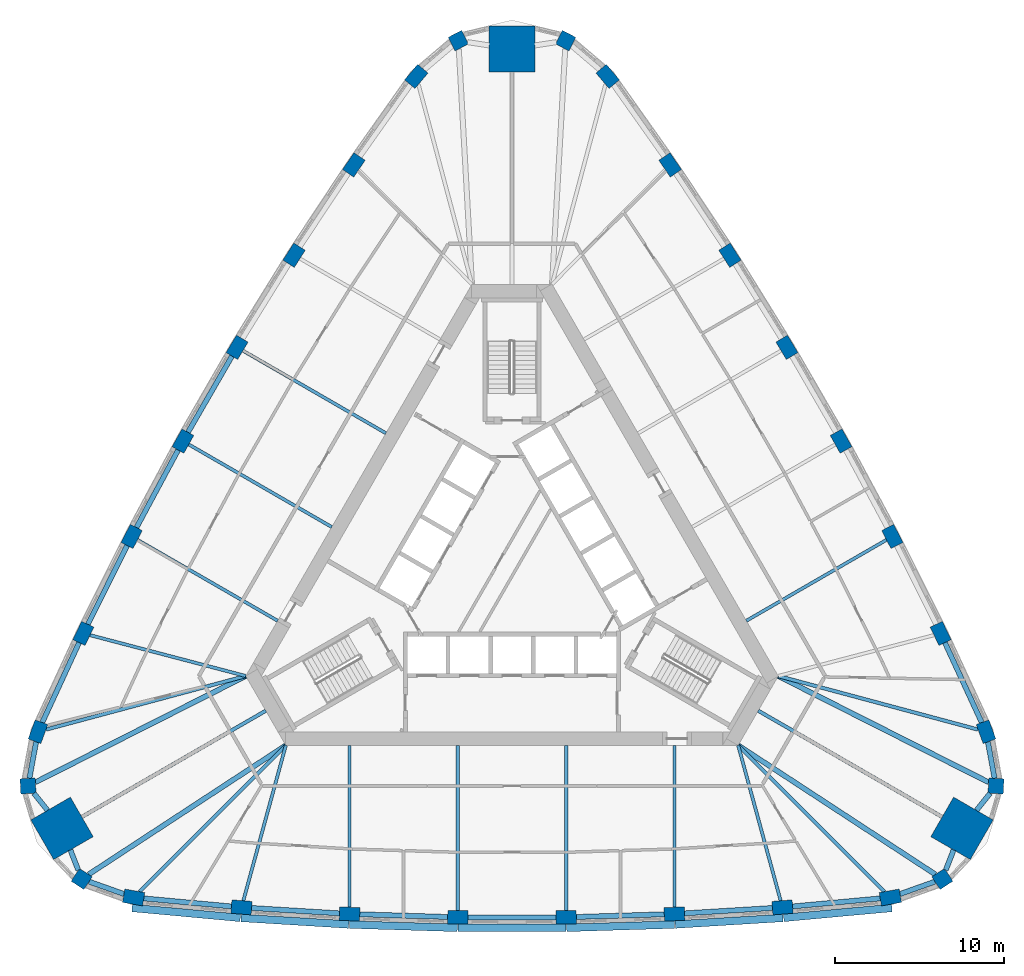
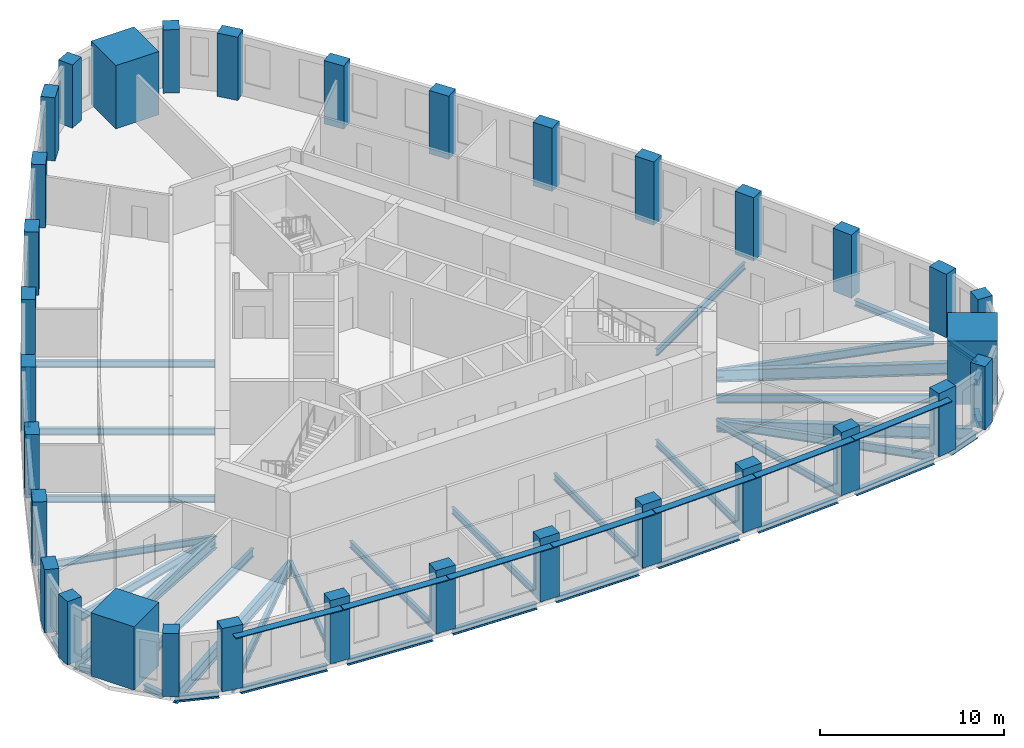
# One storey, part 1 of 10: 41 beams, 33 columns, 7 members.
"""IFC4 building model written with IfcOpenShell, lengths in metres."""

from ifc_helpers import new_model, si_unit, direction, frame, origin, origin_2d, place, context, subcontext, project, spatial, rectangle, i_section, extrude, material, material_profile, profile_set, type_object, element, save


model = new_model("IFC4")

# Units and contexts
model_context = context("Model", 3, precision=1e-05, world=origin(), true_north=direction((0.0, 1.0)))
body_context = subcontext(model_context, "Body", "Model", "MODEL_VIEW")
ifc_project = project(units=[si_unit("LENGTHUNIT", "METRE"), si_unit("AREAUNIT", "SQUARE_METRE"), si_unit("VOLUMEUNIT", "CUBIC_METRE"), si_unit("PLANEANGLEUNIT", "RADIAN"), si_unit("MASSUNIT", "GRAM", prefix="KILO")], contexts=[model_context])

# Site, building, storey
site_placement = place(None, origin())
site = spatial("IfcSite", under=ifc_project, at=site_placement, CompositionType="ELEMENT")
building_placement = place(site_placement, origin())
building = spatial("IfcBuilding", under=site, at=building_placement, Name="Mestral Congress Tower", CompositionType="ELEMENT")
storey_placement = place(building_placement, frame((0.0, 0.0, 145.800048828125)))
storey = spatial("IfcBuildingStorey", under=building, at=storey_placement, Name="L34", CompositionType="ELEMENT", Elevation=145.800048828125)

# Columns
ifc_material_1 = material(Name="Concrete C60/75", Category="concrete")
ifc_material_profile_1 = material_profile(ifc_material_1, rectangle(XDim=1.199951171875, YDim=0.800048828125, at=origin_2d()), Name="RC 1200x800")
ifc_profile_set_1 = profile_set([ifc_material_profile_1], Name="Concrete C60/75")
column_type_1 = type_object("IfcColumnType", Name="Column RC 1200x800 C60/75", PredefinedType="COLUMN", material=ifc_profile_set_1)
for number, where, z_axis, x_axis, name in (
    (1, (-22.357421875, -19.437255859375, 0.0), (0.0, 0.0, 1.0), (0.984571054206, -0.17498525429, 0.0), "COL-L34-C3-S00"),
    (2, (-15.984619140625, -20.0224609375, 0.0), (0.0, 0.0, 1.0), (0.997089725995, -0.076236987842, 0.0), "COL-L34-C3-S01"),
    (3, (-9.5966796875, -20.412841796875, 0.0), (0.0, 0.0, 1.0), (0.998951959915, -0.045770970953, 0.0), "COL-L34-C3-S02"),
    (4, (-3.199951171875, -20.608154296875, 0.0), (0.0, 0.0, 1.0), (0.999883524137, -0.015262311717, 0.0), "COL-L34-C3-S03"),
    (5, (3.199951171875, -20.608154296875, 0.0), (0.0, 0.0, 1.0), (0.999883524137, 0.015262311717, 0.0), "COL-L34-C3-S04"),
    (6, (9.5966796875, -20.412841796875, 0.0), (0.0, 0.0, 1.0), (0.998951959915, 0.045770970953, 0.0), "COL-L34-C3-S05"),
    (7, (15.984619140625, -20.0224609375, 0.0), (0.0, 0.0, 1.0), (0.997089725995, 0.076236987842, 0.0), "COL-L34-C3-S06"),
    (8, (22.357421875, -19.437255859375, 0.0), (0.0, 0.0, 1.0), (0.984571054206, 0.17498525429, 0.0), "COL-L34-C3-S07"),
    (9, (28.01171875, -9.6435546875, 0.0), (0.0, 0.0, 1.0), (-0.340743851601, 0.940156171918, 0.0), "COL-L34-C3-E00"),
    (10, (25.332275390625, -3.831787109375, 0.0), (0.0, 0.0, 1.0), (-0.432521694818, 0.901623526485, 0.0), "COL-L34-C3-E01"),
    (11, (22.476318359375, 1.8955078125, 0.0), (0.0, 0.0, 1.0), (-0.459837156356, 0.888003259923, 0.0), "COL-L34-C3-E02"),
    (12, (19.447265625, 7.532958984375, 0.0), (0.0, 0.0, 1.0), (-0.486724212401, 0.873555688587, 0.0), "COL-L34-C3-E03"),
    (13, (16.247314453125, 13.0751953125, 0.0), (0.0, 0.0, 1.0), (-0.513159311736, 0.85829337687, 0.0), "COL-L34-C3-E04"),
    (14, (12.8798828125, 18.517333984375, 0.0), (0.0, 0.0, 1.0), (-0.539114803559, 0.84223228897, 0.0), "COL-L34-C3-E05"),
    (15, (9.34765625, 23.854248046875, 0.0), (0.0, 0.0, 1.0), (-0.564568031177, 0.825386538643, 0.0), "COL-L34-C3-E06"),
    (16, (5.654296875, 29.080810546875, 0.0), (0.0, 0.0, 1.0), (-0.643827202606, 0.765170917629, 0.0), "COL-L34-C3-E07"),
    (17, (-5.654296875, 29.080810546875, 0.0), (0.0, 0.0, 1.0), (-0.643827202606, -0.765170917629, 0.0), "COL-L34-C3-W00"),
    (18, (-9.34765625, 23.854248046875, 0.0), (0.0, 0.0, 1.0), (-0.564568031177, -0.825386538643, 0.0), "COL-L34-C3-W01"),
    (19, (-12.8798828125, 18.517333984375, 0.0), (0.0, 0.0, 1.0), (-0.539114803559, -0.84223228897, 0.0), "COL-L34-C3-W02"),
    (20, (-16.247314453125, 13.0751953125, 0.0), (0.0, 0.0, 1.0), (-0.513159311736, -0.85829337687, 0.0), "COL-L34-C3-W03"),
    (21, (-19.447265625, 7.532958984375, 0.0), (0.0, 0.0, 1.0), (-0.486724212401, -0.873555688587, 0.0), "COL-L34-C3-W04"),
    (22, (-22.476318359375, 1.8955078125, 0.0), (0.0, 0.0, 1.0), (-0.459837156356, -0.888003259923, 0.0), "COL-L34-C3-W05"),
    (23, (-25.332275390625, -3.831787109375, 0.0), (0.0, 0.0, 1.0), (-0.432521694818, -0.901623526485, 0.0), "COL-L34-C3-W06"),
    (24, (-28.01171875, -9.6435546875, 0.0), (0.0, 0.0, 1.0), (-0.340743851601, -0.940156171918, 0.0), "COL-L34-C3-W07"),
):
    element("IfcColumn", number, at=place(storey_placement, frame(where, z_axis=z_axis, x_axis=x_axis)), inside=storey, type_object=column_type_1, Name=name, PredefinedType="COLUMN", context=body_context, shape_type="SweptSolid", body=[
        extrude(rectangle(XDim=1.199951171875, YDim=0.800048828125, at=origin_2d()), origin(), (0.0, 0.0, 1.0), 4.199951171875),
    ])
ifc_material_profile_2 = material_profile(ifc_material_1, rectangle(XDim=0.89990234375, YDim=0.89990234375, at=origin_2d()), Name="RC 900x900")
ifc_profile_set_2 = profile_set([ifc_material_profile_2], Name="Concrete C60/75")
column_type_2 = type_object("IfcColumnType", Name="Column RC 900x900 C60/75", PredefinedType="COLUMN", material=ifc_profile_set_2)
for number, where, z_axis, x_axis, name in (
    (25, (25.4296875, -18.34375, 0.0), (0.0, 0.0, 1.0), (0.838094050847, 0.545525766518, 0.0), "COL-L34-C3-SE1"),
    (26, (28.60107421875, -12.850830078125, 0.0), (0.0, 0.0, 1.0), (0.0533921468, 0.998573622053, 0.0), "COL-L34-C3-SE3"),
    (27, (3.17138671875, 31.194580078125, 0.0), (0.0, 0.0, 1.0), (-0.891486197647, 0.453047855535, 0.0), "COL-L34-C3-N1"),
    (28, (-3.17138671875, 31.194580078125, 0.0), (0.0, 0.0, 1.0), (-0.891486197647, -0.453047855535, 0.0), "COL-L34-C3-N3"),
    (29, (-28.60107421875, -12.850830078125, 0.0), (0.0, 0.0, 1.0), (0.0533921468, -0.998573622053, 0.0), "COL-L34-C3-SW1"),
    (30, (-25.4296875, -18.34375, 0.0), (0.0, 0.0, 1.0), (0.838094050847, -0.545525766518, 0.0), "COL-L34-C3-SW3"),
):
    element("IfcColumn", number, at=place(storey_placement, frame(where, z_axis=z_axis, x_axis=x_axis)), inside=storey, type_object=column_type_2, Name=name, PredefinedType="COLUMN", context=body_context, shape_type="SweptSolid", body=[
        extrude(rectangle(XDim=0.89990234375, YDim=0.89990234375, at=origin_2d()), origin(), (0.0, 0.0, 1.0), 4.199951171875),
    ])
ifc_material_2 = material(Name="Concrete C70/85", Category="concrete")
ifc_material_profile_3 = material_profile(ifc_material_2, rectangle(XDim=2.699951171875, YDim=2.699951171875, at=origin_2d()), Name="RC 2700x2700")
ifc_profile_set_3 = profile_set([ifc_material_profile_3], Name="Concrete C70/85")
column_type_3 = type_object("IfcColumnType", Name="Mega column RC 2700x2700 C70/85", PredefinedType="COLUMN", material=ifc_profile_set_3)
for number, where, z_axis, x_axis, name in (
    (31, (26.590576171875, -15.35205078125, 0.0), (0.0, 0.0, 1.0), (0.866025403784, -0.5, 0.0), "COL-L34-PY3-SE"),
    (32, (0.0, 30.7041015625, 0.0), (0.0, 0.0, 1.0), (0.0, 1.0, 0.0), "COL-L34-PY3-N"),
    (33, (-26.590576171875, -15.35205078125, 0.0), (0.0, 0.0, 1.0), (-0.866025403784, -0.5, 0.0), "COL-L34-PY3-SW"),
):
    element("IfcColumn", number, at=place(storey_placement, frame(where, z_axis=z_axis, x_axis=x_axis)), inside=storey, type_object=column_type_3, Name=name, PredefinedType="COLUMN", context=body_context, shape_type="SweptSolid", body=[
        extrude(rectangle(XDim=2.699951171875, YDim=2.699951171875, at=origin_2d()), origin(), (0.0, 0.0, 1.0), 4.199951171875),
    ])

# Members
ifc_material_3 = material(Name="Glazed ceramic", Category="masonry")
ifc_material_profile_4 = material_profile(ifc_material_3, rectangle(XDim=0.449951171875, YDim=0.06005859375, at=origin_2d()), Name="Ceramic blade 450 x 60")
ifc_profile_set_4 = profile_set([ifc_material_profile_4], Name="Glazed ceramic")
member_type = type_object("IfcMemberType", Name="Facade sunshade blade 450 x 60", PredefinedType="USERDEFINED", material=ifc_profile_set_4)
member_1_placement = place(storey_placement, frame((-22.451171875, -20.05615234375, 3.679931640625), z_axis=(0.995809919347, -0.091447277326, 0.0), x_axis=(0.091447277326, 0.995809919347, 0.0)))
element("IfcMember", 34, at=member_1_placement, inside=storey, type_object=member_type, Name="Sunshade F0-00", ObjectType="SUNSHADE", PredefinedType="USERDEFINED", context=body_context, shape_type="SweptSolid", body=[
    extrude(rectangle(XDim=0.449951171875, YDim=0.06005859375, at=origin_2d()), origin(), (0.0, 0.0, 1.0), 6.42333984375),
])
member_2_placement = place(storey_placement, frame((-16.009521484375, -20.647216796875, 3.679931640625), z_axis=(0.998138940399, -0.06098078107, 0.0), x_axis=(0.06098078107, 0.998138940399, 0.0)))
element("IfcMember", 35, at=member_2_placement, inside=storey, type_object=member_type, Name="Sunshade F0-01", ObjectType="SUNSHADE", PredefinedType="USERDEFINED", context=body_context, shape_type="SweptSolid", body=[
    extrude(rectangle(XDim=0.449951171875, YDim=0.06005859375, at=origin_2d()), origin(), (0.0, 0.0, 1.0), 6.373779296875),
])
for number, where, z_axis, x_axis, name in (
    (36, (-9.6025390625, -21.0380859375, 3.679931640625), (0.999535044007, -0.03049091343, 0.0), (0.03049091343, 0.999535044007, 0.0), "Sunshade F0-02"),
    (37, (-3.186767578125, -21.233154296875, 3.679931640625), (1.0, 0.0, 0.0), (0.0, 1.0, 0.0), "Sunshade F0-03"),
    (38, (3.23193359375, -21.232421875, 3.679931640625), (0.999535044007, 0.03049091343, 0.0), (-0.03049091343, 0.999535044007, 0.0), "Sunshade F0-04"),
):
    element("IfcMember", number, at=place(storey_placement, frame(where, z_axis=z_axis, x_axis=x_axis)), inside=storey, type_object=member_type, Name=name, ObjectType="SUNSHADE", PredefinedType="USERDEFINED", context=body_context, shape_type="SweptSolid", body=[
        extrude(rectangle(XDim=0.449951171875, YDim=0.06005859375, at=origin_2d()), origin(), (0.0, 0.0, 1.0), 6.37353515625),
    ])
member_3_placement = place(storey_placement, frame((9.647705078125, -21.035888671875, 3.679931640625), z_axis=(0.998138940399, 0.06098078107, 0.0), x_axis=(-0.06098078107, 0.998138940399, 0.0)))
element("IfcMember", 39, at=member_3_placement, inside=storey, type_object=member_type, Name="Sunshade F0-05", ObjectType="SUNSHADE", PredefinedType="USERDEFINED", context=body_context, shape_type="SweptSolid", body=[
    extrude(rectangle(XDim=0.449951171875, YDim=0.06005859375, at=origin_2d()), origin(), (0.0, 0.0, 1.0), 6.373779296875),
])
member_4_placement = place(storey_placement, frame((16.0546875, -20.6435546875, 3.679931640625), z_axis=(0.995809919347, 0.091447277326, 0.0), x_axis=(-0.091447277326, 0.995809919347, 0.0)))
element("IfcMember", 40, at=member_4_placement, inside=storey, type_object=member_type, Name="Sunshade F0-06", ObjectType="SUNSHADE", PredefinedType="USERDEFINED", context=body_context, shape_type="SweptSolid", body=[
    extrude(rectangle(XDim=0.449951171875, YDim=0.06005859375, at=origin_2d()), origin(), (0.0, 0.0, 1.0), 6.42333984375),
])

# Beams
ifc_material_4 = material(Name="Steel S355", Category="steel")
ifc_material_profile_5 = material_profile(ifc_material_4, i_section(OverallWidth=0.300048828125, OverallDepth=0.800048828125, WebThickness=0.017578125, FlangeThickness=0.032958984375, FilletRadius=0.030029296875, at=origin_2d()), Name="HEB 800")
ifc_profile_set_5 = profile_set([ifc_material_profile_5], Name="Steel S355")
beam_type_1 = type_object("IfcBeamType", Name="Floor beam HEB 800 S355", PredefinedType="BEAM", material=ifc_profile_set_5)
beam_1_placement = place(storey_placement, frame((25.018310546875, -18.07470703125, -0.650146484375), z_axis=(-0.836780237492, 0.547538888247, 0.0), x_axis=(-0.547538888247, -0.836780237492, 0.0)))
element("IfcBeam", 41, at=beam_1_placement, inside=storey, type_object=beam_type_1, Name="BM-L34-RB3-SE1", PredefinedType="BEAM", context=body_context, shape_type="SweptSolid", body=[
    extrude(i_section(OverallWidth=0.300048828125, OverallDepth=0.800048828125, WebThickness=0.017578125, FlangeThickness=0.032958984375, FilletRadius=0.030029296875, at=origin_2d()), origin(), (0.0, 0.0, 1.0), 13.925537109375),
])
for number, where, z_axis, x_axis, name in (
    (42, (28.162109375, -12.629150390625, -0.650146484375), (-0.892568118133, 0.450912579656, 0.0), (-0.450912579656, -0.892568118133, 0.0), "BM-L34-RB3-SE3"),
    (43, (-28.162109375, -12.629150390625, -0.650146484375), (0.892568118133, 0.450912579656, 0.0), (-0.450912579656, 0.892568118133, 0.0), "BM-L34-RB3-SW1"),
):
    element("IfcBeam", number, at=place(storey_placement, frame(where, z_axis=z_axis, x_axis=x_axis)), inside=storey, type_object=beam_type_1, Name=name, PredefinedType="BEAM", context=body_context, shape_type="SweptSolid", body=[
        extrude(i_section(OverallWidth=0.300048828125, OverallDepth=0.800048828125, WebThickness=0.017578125, FlangeThickness=0.032958984375, FilletRadius=0.030029296875, at=origin_2d()), origin(), (0.0, 0.0, 1.0), 13.92529296875),
    ])
beam_2_placement = place(storey_placement, frame((-25.018310546875, -18.07470703125, -0.650146484375), z_axis=(0.836780237492, 0.547538888247, 0.0), x_axis=(-0.547538888247, 0.836780237492, 0.0)))
element("IfcBeam", 44, at=beam_2_placement, inside=storey, type_object=beam_type_1, Name="BM-L34-RB3-SW3", PredefinedType="BEAM", context=body_context, shape_type="SweptSolid", body=[
    extrude(i_section(OverallWidth=0.300048828125, OverallDepth=0.800048828125, WebThickness=0.017578125, FlangeThickness=0.032958984375, FilletRadius=0.030029296875, at=origin_2d()), origin(), (0.0, 0.0, 1.0), 13.925537109375),
])
ifc_material_profile_6 = material_profile(ifc_material_4, i_section(OverallWidth=0.18994140625, OverallDepth=0.449951171875, WebThickness=0.009521484375, FlangeThickness=0.0146484375, FilletRadius=0.02099609375, at=origin_2d()), Name="IPE 450")
ifc_profile_set_6 = profile_set([ifc_material_profile_6], Name="Steel S355")
beam_type_2 = type_object("IfcBeamType", Name="Floor beam IPE 450 S355", PredefinedType="BEAM", material=ifc_profile_set_6)
beam_3_placement = place(storey_placement, frame((-15.876953125, -19.62939453125, -0.47509765625), z_axis=(0.263874900873, 0.964556912105, 0.0), x_axis=(-0.964556912105, 0.263874900873, 0.0)))
element("IfcBeam", 45, at=beam_3_placement, inside=storey, type_object=beam_type_2, Name="BM-L34-RB3-S01", PredefinedType="BEAM", context=body_context, shape_type="SweptSolid", body=[
    extrude(i_section(OverallWidth=0.18994140625, OverallDepth=0.449951171875, WebThickness=0.009521484375, FlangeThickness=0.0146484375, FilletRadius=0.02099609375, at=origin_2d()), origin(), (0.0, 0.0, 1.0), 9.516845703125),
])
beam_4_placement = place(storey_placement, frame((-9.5966796875, -20.012451171875, -0.47509765625), z_axis=(0.0, 1.0, 0.0), x_axis=(-1.0, 0.0, 0.0)))
element("IfcBeam", 46, at=beam_4_placement, inside=storey, type_object=beam_type_2, Name="BM-L34-RB3-S02", PredefinedType="BEAM", context=body_context, shape_type="SweptSolid", body=[
    extrude(i_section(OverallWidth=0.18994140625, OverallDepth=0.449951171875, WebThickness=0.009521484375, FlangeThickness=0.0146484375, FilletRadius=0.02099609375, at=origin_2d()), origin(), (0.0, 0.0, 1.0), 9.5625),
])
for number, where, z_axis, x_axis, name in (
    (47, (-3.199951171875, -20.208251953125, -0.47509765625), (0.0, 1.0, 0.0), (-1.0, 0.0, 0.0), "BM-L34-RB3-S03"),
    (48, (3.199951171875, -20.208251953125, -0.47509765625), (0.0, 1.0, 0.0), (-1.0, 0.0, 0.0), "BM-L34-RB3-S04"),
):
    element("IfcBeam", number, at=place(storey_placement, frame(where, z_axis=z_axis, x_axis=x_axis)), inside=storey, type_object=beam_type_2, Name=name, PredefinedType="BEAM", context=body_context, shape_type="SweptSolid", body=[
        extrude(i_section(OverallWidth=0.18994140625, OverallDepth=0.449951171875, WebThickness=0.009521484375, FlangeThickness=0.0146484375, FilletRadius=0.02099609375, at=origin_2d()), origin(), (0.0, 0.0, 1.0), 9.75830078125),
    ])
beam_5_placement = place(storey_placement, frame((9.5966796875, -20.012451171875, -0.47509765625), z_axis=(0.0, 1.0, 0.0), x_axis=(-1.0, 0.0, 0.0)))
element("IfcBeam", 49, at=beam_5_placement, inside=storey, type_object=beam_type_2, Name="BM-L34-RB3-S05", PredefinedType="BEAM", context=body_context, shape_type="SweptSolid", body=[
    extrude(i_section(OverallWidth=0.18994140625, OverallDepth=0.449951171875, WebThickness=0.009521484375, FlangeThickness=0.0146484375, FilletRadius=0.02099609375, at=origin_2d()), origin(), (0.0, 0.0, 1.0), 9.5625),
])
beam_6_placement = place(storey_placement, frame((15.876953125, -19.62939453125, -0.47509765625), z_axis=(-0.263874900873, 0.964556912105, 0.0), x_axis=(-0.964556912105, -0.263874900873, 0.0)))
element("IfcBeam", 50, at=beam_6_placement, inside=storey, type_object=beam_type_2, Name="BM-L34-RB3-S06", PredefinedType="BEAM", context=body_context, shape_type="SweptSolid", body=[
    extrude(i_section(OverallWidth=0.18994140625, OverallDepth=0.449951171875, WebThickness=0.009521484375, FlangeThickness=0.0146484375, FilletRadius=0.02099609375, at=origin_2d()), origin(), (0.0, 0.0, 1.0), 9.516845703125),
])
beam_7_placement = place(storey_placement, frame((22.129638671875, 1.6953125, -0.47509765625), z_axis=(-0.866022320763, -0.500005339912, 0.0), x_axis=(0.500005339912, -0.866022320763, 0.0)))
element("IfcBeam", 51, at=beam_7_placement, inside=storey, type_object=beam_type_2, Name="BM-L34-RB3-E02", PredefinedType="BEAM", context=body_context, shape_type="SweptSolid", body=[
    extrude(i_section(OverallWidth=0.18994140625, OverallDepth=0.449951171875, WebThickness=0.009521484375, FlangeThickness=0.0146484375, FilletRadius=0.02099609375, at=origin_2d()), origin(), (0.0, 0.0, 1.0), 9.5625),
])
beam_8_placement = place(storey_placement, frame((-15.90087890625, 12.875244140625, -0.47509765625), z_axis=(0.866025182435, -0.500000383388, 0.0), x_axis=(0.500000383388, 0.866025182435, 0.0)))
element("IfcBeam", 52, at=beam_8_placement, inside=storey, type_object=beam_type_2, Name="BM-L34-RB3-W03", PredefinedType="BEAM", context=body_context, shape_type="SweptSolid", body=[
    extrude(i_section(OverallWidth=0.18994140625, OverallDepth=0.449951171875, WebThickness=0.009521484375, FlangeThickness=0.0146484375, FilletRadius=0.02099609375, at=origin_2d()), origin(), (0.0, 0.0, 1.0), 9.75830078125),
])
beam_9_placement = place(storey_placement, frame((-19.100830078125, 7.332763671875, -0.47509765625), z_axis=(0.866036015824, -0.499981618958, 0.0), x_axis=(0.499981618958, 0.866036015824, 0.0)))
element("IfcBeam", 53, at=beam_9_placement, inside=storey, type_object=beam_type_2, Name="BM-L34-RB3-W04", PredefinedType="BEAM", context=body_context, shape_type="SweptSolid", body=[
    extrude(i_section(OverallWidth=0.18994140625, OverallDepth=0.449951171875, WebThickness=0.009521484375, FlangeThickness=0.0146484375, FilletRadius=0.02099609375, at=origin_2d()), origin(), (0.0, 0.0, 1.0), 9.758056640625),
])
beam_10_placement = place(storey_placement, frame((-22.129638671875, 1.6953125, -0.47509765625), z_axis=(0.866022320763, -0.500005339912, 0.0), x_axis=(0.500005339912, 0.866022320763, 0.0)))
element("IfcBeam", 54, at=beam_10_placement, inside=storey, type_object=beam_type_2, Name="BM-L34-RB3-W05", PredefinedType="BEAM", context=body_context, shape_type="SweptSolid", body=[
    extrude(i_section(OverallWidth=0.18994140625, OverallDepth=0.449951171875, WebThickness=0.009521484375, FlangeThickness=0.0146484375, FilletRadius=0.02099609375, at=origin_2d()), origin(), (0.0, 0.0, 1.0), 9.5625),
])
beam_11_placement = place(storey_placement, frame((-24.938232421875, -3.93505859375, -0.47509765625), z_axis=(0.967265999603, -0.253764627187, 0.0), x_axis=(0.253764627187, 0.967265999603, 0.0)))
element("IfcBeam", 55, at=beam_11_placement, inside=storey, type_object=beam_type_2, Name="BM-L34-RB3-W06", PredefinedType="BEAM", context=body_context, shape_type="SweptSolid", body=[
    extrude(i_section(OverallWidth=0.18994140625, OverallDepth=0.449951171875, WebThickness=0.009521484375, FlangeThickness=0.0146484375, FilletRadius=0.02099609375, at=origin_2d()), origin(), (0.0, 0.0, 1.0), 9.516845703125),
])
ifc_material_profile_7 = material_profile(ifc_material_4, i_section(OverallWidth=0.2099609375, OverallDepth=0.550048828125, WebThickness=0.010986328125, FlangeThickness=0.01708984375, FilletRadius=0.02392578125, at=origin_2d()), Name="IPE 550")
ifc_profile_set_7 = profile_set([ifc_material_profile_7], Name="Steel S355")
beam_type_3 = type_object("IfcBeamType", Name="Floor beam IPE 550 S355", PredefinedType="BEAM", material=ifc_profile_set_7)
for number, where, z_axis, x_axis, name in (
    (56, (-22.01220703125, -19.09228515625, -0.525146484375), (0.707276510369, 0.706937011254, 0.0), (-0.706937011254, 0.707276510369, 0.0), "BM-L34-RB3-S00"),
    (57, (22.01220703125, -19.09228515625, -0.525146484375), (-0.707276510369, 0.706937011254, 0.0), (-0.706937011254, -0.707276510369, 0.0), "BM-L34-RB3-S07"),
):
    element("IfcBeam", number, at=place(storey_placement, frame(where, z_axis=z_axis, x_axis=x_axis)), inside=storey, type_object=beam_type_3, Name=name, PredefinedType="BEAM", context=body_context, shape_type="SweptSolid", body=[
        extrude(i_section(OverallWidth=0.2099609375, OverallDepth=0.550048828125, WebThickness=0.010986328125, FlangeThickness=0.01708984375, FilletRadius=0.02392578125, at=origin_2d()), origin(), (0.0, 0.0, 1.0), 12.22509765625),
    ])
beam_12_placement = place(storey_placement, frame((25.42138671875, -14.677001953125, -0.525146484375), z_axis=(-0.866034999462, 0.49998337943, 0.0), x_axis=(-0.49998337943, -0.866034999462, 0.0)))
element("IfcBeam", 58, at=beam_12_placement, inside=storey, type_object=beam_type_3, Name="BM-L34-RB3-SE", PredefinedType="BEAM", context=body_context, shape_type="SweptSolid", body=[
    extrude(i_section(OverallWidth=0.2099609375, OverallDepth=0.550048828125, WebThickness=0.010986328125, FlangeThickness=0.01708984375, FilletRadius=0.02392578125, at=origin_2d()), origin(), (0.0, 0.0, 1.0), 12.55419921875),
])
for number, where, z_axis, x_axis, name in (
    (59, (27.54052734375, -9.51708984375, -0.525146484375), (-0.965861364708, 0.259059499276, 0.0), (-0.259059499276, -0.965861364708, 0.0), "BM-L34-RB3-E00"),
    (60, (-27.54052734375, -9.51708984375, -0.525146484375), (0.965861364708, 0.259059499276, 0.0), (-0.259059499276, 0.965861364708, 0.0), "BM-L34-RB3-W07"),
):
    element("IfcBeam", number, at=place(storey_placement, frame(where, z_axis=z_axis, x_axis=x_axis)), inside=storey, type_object=beam_type_3, Name=name, PredefinedType="BEAM", context=body_context, shape_type="SweptSolid", body=[
        extrude(i_section(OverallWidth=0.2099609375, OverallDepth=0.550048828125, WebThickness=0.010986328125, FlangeThickness=0.01708984375, FilletRadius=0.02392578125, at=origin_2d()), origin(), (0.0, 0.0, 1.0), 12.224853515625),
    ])
beam_13_placement = place(storey_placement, frame((-25.42138671875, -14.677001953125, -0.525146484375), z_axis=(0.866034999462, 0.49998337943, 0.0), x_axis=(-0.49998337943, 0.866034999462, 0.0)))
element("IfcBeam", 61, at=beam_13_placement, inside=storey, type_object=beam_type_3, Name="BM-L34-RB3-SW", PredefinedType="BEAM", context=body_context, shape_type="SweptSolid", body=[
    extrude(i_section(OverallWidth=0.2099609375, OverallDepth=0.550048828125, WebThickness=0.010986328125, FlangeThickness=0.01708984375, FilletRadius=0.02392578125, at=origin_2d()), origin(), (0.0, 0.0, 1.0), 12.55419921875),
])
ifc_material_profile_8 = material_profile(ifc_material_4, i_section(OverallWidth=0.300048828125, OverallDepth=0.389892578125, WebThickness=0.010986328125, FlangeThickness=0.01904296875, FilletRadius=0.027099609375, at=origin_2d()), Name="HEA 400")
ifc_profile_set_8 = profile_set([ifc_material_profile_8], Name="Steel S355")
beam_type_4 = type_object("IfcBeamType", Name="Spandrel beam HEA 400 S355", PredefinedType="BEAM", material=ifc_profile_set_8)
beam_14_placement = place(storey_placement, frame((-21.7578125, -19.4921875, -0.445068359375), z_axis=(0.995809233617, -0.091454744238, 0.0), x_axis=(0.091454744238, 0.995809233617, 0.0)))
element("IfcBeam", 62, at=beam_14_placement, inside=storey, type_object=beam_type_4, Name="SP-L34-SB3-S00", PredefinedType="BEAM", context=body_context, shape_type="SweptSolid", body=[
    extrude(i_section(OverallWidth=0.300048828125, OverallDepth=0.389892578125, WebThickness=0.010986328125, FlangeThickness=0.01904296875, FilletRadius=0.027099609375, at=origin_2d()), origin(), (0.0, 0.0, 1.0), 5.197509765625),
])
beam_15_placement = place(storey_placement, frame((-15.385498046875, -20.05908203125, -0.445068359375), z_axis=(0.998138215809, -0.060992640057, 0.0), x_axis=(0.060992640057, 0.998138215809, 0.0)))
element("IfcBeam", 63, at=beam_15_placement, inside=storey, type_object=beam_type_4, Name="SP-L34-SB3-S01", PredefinedType="BEAM", context=body_context, shape_type="SweptSolid", body=[
    extrude(i_section(OverallWidth=0.300048828125, OverallDepth=0.389892578125, WebThickness=0.010986328125, FlangeThickness=0.01904296875, FilletRadius=0.027099609375, at=origin_2d()), origin(), (0.0, 0.0, 1.0), 5.19970703125),
])
beam_16_placement = place(storey_placement, frame((-8.996826171875, -20.43115234375, -0.445068359375), z_axis=(0.999534130554, -0.030520842996, 0.0), x_axis=(0.030520842996, 0.999534130554, 0.0)))
element("IfcBeam", 64, at=beam_16_placement, inside=storey, type_object=beam_type_4, Name="SP-L34-SB3-S02", PredefinedType="BEAM", context=body_context, shape_type="SweptSolid", body=[
    extrude(i_section(OverallWidth=0.300048828125, OverallDepth=0.389892578125, WebThickness=0.010986328125, FlangeThickness=0.01904296875, FilletRadius=0.027099609375, at=origin_2d()), origin(), (0.0, 0.0, 1.0), 5.199462890625),
])
beam_17_placement = place(storey_placement, frame((-2.599853515625, -20.608154296875, -0.445068359375), z_axis=(1.0, 0.0, 0.0), x_axis=(0.0, 1.0, 0.0)))
element("IfcBeam", 65, at=beam_17_placement, inside=storey, type_object=beam_type_4, Name="SP-L34-SB3-S03", PredefinedType="BEAM", context=body_context, shape_type="SweptSolid", body=[
    extrude(i_section(OverallWidth=0.300048828125, OverallDepth=0.389892578125, WebThickness=0.010986328125, FlangeThickness=0.01904296875, FilletRadius=0.027099609375, at=origin_2d()), origin(), (0.0, 0.0, 1.0), 5.19970703125),
])
beam_18_placement = place(storey_placement, frame((3.7998046875, -20.58984375, -0.445068359375), z_axis=(0.999534130554, 0.030520842996, 0.0), x_axis=(-0.030520842996, 0.999534130554, 0.0)))
element("IfcBeam", 66, at=beam_18_placement, inside=storey, type_object=beam_type_4, Name="SP-L34-SB3-S04", PredefinedType="BEAM", context=body_context, shape_type="SweptSolid", body=[
    extrude(i_section(OverallWidth=0.300048828125, OverallDepth=0.389892578125, WebThickness=0.010986328125, FlangeThickness=0.01904296875, FilletRadius=0.027099609375, at=origin_2d()), origin(), (0.0, 0.0, 1.0), 5.199462890625),
])
beam_19_placement = place(storey_placement, frame((10.195556640625, -20.376220703125, -0.445068359375), z_axis=(0.998138215809, 0.060992640057, 0.0), x_axis=(-0.060992640057, 0.998138215809, 0.0)))
element("IfcBeam", 67, at=beam_19_placement, inside=storey, type_object=beam_type_4, Name="SP-L34-SB3-S05", PredefinedType="BEAM", context=body_context, shape_type="SweptSolid", body=[
    extrude(i_section(OverallWidth=0.300048828125, OverallDepth=0.389892578125, WebThickness=0.010986328125, FlangeThickness=0.01904296875, FilletRadius=0.027099609375, at=origin_2d()), origin(), (0.0, 0.0, 1.0), 5.19970703125),
])
beam_20_placement = place(storey_placement, frame((16.58203125, -19.967529296875, -0.445068359375), z_axis=(0.995809233617, 0.091454744238, 0.0), x_axis=(-0.091454744238, 0.995809233617, 0.0)))
element("IfcBeam", 68, at=beam_20_placement, inside=storey, type_object=beam_type_4, Name="SP-L34-SB3-S06", PredefinedType="BEAM", context=body_context, shape_type="SweptSolid", body=[
    extrude(i_section(OverallWidth=0.300048828125, OverallDepth=0.389892578125, WebThickness=0.010986328125, FlangeThickness=0.01904296875, FilletRadius=0.027099609375, at=origin_2d()), origin(), (0.0, 0.0, 1.0), 5.197509765625),
])
beam_21_placement = place(storey_placement, frame((22.9306640625, -19.233154296875, -0.445068359375), z_axis=(0.942124718118, 0.33526260679, 0.0), x_axis=(-0.33526260679, 0.942124718118, 0.0)))
element("IfcBeam", 69, at=beam_21_placement, inside=storey, type_object=beam_type_4, Name="SP-L34-SB3-S07", PredefinedType="BEAM", context=body_context, shape_type="SweptSolid", body=[
    extrude(i_section(OverallWidth=0.300048828125, OverallDepth=0.389892578125, WebThickness=0.010986328125, FlangeThickness=0.01904296875, FilletRadius=0.027099609375, at=origin_2d()), origin(), (0.0, 0.0, 1.0), 2.189697265625),
])
for number, where, z_axis, x_axis, name in (
    (70, (25.630126953125, -17.826904296875, -0.445068359375), (0.361897583915, 0.932217860136, 0.0), (-0.932217860136, 0.361897583915, 0.0), "SP-L34-SB3-SE1"),
    (71, (27.446533203125, -14.287353515625, -0.445068359375), (0.626403443736, 0.779499022242, 0.0), (-0.779499022242, 0.626403443736, 0.0), "SP-L34-SB3-SE"),
):
    element("IfcBeam", number, at=place(storey_placement, frame(where, z_axis=z_axis, x_axis=x_axis)), inside=storey, type_object=beam_type_4, Name=name, PredefinedType="BEAM", context=body_context, shape_type="SweptSolid", body=[
        extrude(i_section(OverallWidth=0.300048828125, OverallDepth=0.389892578125, WebThickness=0.010986328125, FlangeThickness=0.01904296875, FilletRadius=0.027099609375, at=origin_2d()), origin(), (0.0, 0.0, 1.0), 1.28857421875),
    ])
beam_22_placement = place(storey_placement, frame((28.517333984375, -12.395751953125, -0.445068359375), z_axis=(-0.18061190167, 0.983554442304, 0.0), x_axis=(-0.983554442304, -0.18061190167, 0.0)))
element("IfcBeam", 72, at=beam_22_placement, inside=storey, type_object=beam_type_4, Name="SP-L34-SB3-SE3", PredefinedType="BEAM", context=body_context, shape_type="SweptSolid", body=[
    extrude(i_section(OverallWidth=0.300048828125, OverallDepth=0.389892578125, WebThickness=0.010986328125, FlangeThickness=0.01904296875, FilletRadius=0.027099609375, at=origin_2d()), origin(), (0.0, 0.0, 1.0), 2.18994140625),
])
beam_23_placement = place(storey_placement, frame((27.759765625, -9.0966796875, -0.445068359375), z_axis=(-0.418712613032, 0.908118796022, 0.0), x_axis=(-0.908118796022, -0.418712613032, 0.0)))
element("IfcBeam", 73, at=beam_23_placement, inside=storey, type_object=beam_type_4, Name="SP-L34-SB3-E00", PredefinedType="BEAM", context=body_context, shape_type="SweptSolid", body=[
    extrude(i_section(OverallWidth=0.300048828125, OverallDepth=0.389892578125, WebThickness=0.010986328125, FlangeThickness=0.01904296875, FilletRadius=0.027099609375, at=origin_2d()), origin(), (0.0, 0.0, 1.0), 5.197509765625),
])
for number, where, z_axis, x_axis, name in (
    (74, (-16.54736328125, 12.5556640625, -0.445068359375), (-0.499992051641, -0.866029992723, 0.0), (0.866029992723, -0.499992051641, 0.0), "SP-L34-SB3-W03"),
    (75, (-19.731201171875, 7.00439453125, -0.445068359375), (-0.473332458078, -0.880883865291, 0.0), (0.880883865291, -0.473332458078, 0.0), "SP-L34-SB3-W04"),
):
    element("IfcBeam", number, at=place(storey_placement, frame(where, z_axis=z_axis, x_axis=x_axis)), inside=storey, type_object=beam_type_4, Name=name, PredefinedType="BEAM", context=body_context, shape_type="SweptSolid", body=[
        extrude(i_section(OverallWidth=0.300048828125, OverallDepth=0.389892578125, WebThickness=0.010986328125, FlangeThickness=0.01904296875, FilletRadius=0.027099609375, at=origin_2d()), origin(), (0.0, 0.0, 1.0), 5.19970703125),
    ])
beam_24_placement = place(storey_placement, frame((-22.744140625, 1.3583984375, -0.445068359375), z_axis=(-0.446255467462, -0.894905613884, 0.0), x_axis=(0.894905613884, -0.446255467462, 0.0)))
element("IfcBeam", 76, at=beam_24_placement, inside=storey, type_object=beam_type_4, Name="SP-L34-SB3-W05", PredefinedType="BEAM", context=body_context, shape_type="SweptSolid", body=[
    extrude(i_section(OverallWidth=0.300048828125, OverallDepth=0.389892578125, WebThickness=0.010986328125, FlangeThickness=0.01904296875, FilletRadius=0.027099609375, at=origin_2d()), origin(), (0.0, 0.0, 1.0), 5.199462890625),
])
beam_25_placement = place(storey_placement, frame((-25.58349609375, -4.376708984375, -0.445068359375), z_axis=(-0.418712613032, -0.908118796022, 0.0), x_axis=(0.908118796022, -0.418712613032, 0.0)))
element("IfcBeam", 77, at=beam_25_placement, inside=storey, type_object=beam_type_4, Name="SP-L34-SB3-W06", PredefinedType="BEAM", context=body_context, shape_type="SweptSolid", body=[
    extrude(i_section(OverallWidth=0.300048828125, OverallDepth=0.389892578125, WebThickness=0.010986328125, FlangeThickness=0.01904296875, FilletRadius=0.027099609375, at=origin_2d()), origin(), (0.0, 0.0, 1.0), 5.197509765625),
])
beam_26_placement = place(storey_placement, frame((-28.121826171875, -10.241943359375, -0.445068359375), z_axis=(-0.18061190167, -0.983554442304, 0.0), x_axis=(0.983554442304, -0.18061190167, 0.0)))
element("IfcBeam", 78, at=beam_26_placement, inside=storey, type_object=beam_type_4, Name="SP-L34-SB3-W07", PredefinedType="BEAM", context=body_context, shape_type="SweptSolid", body=[
    extrude(i_section(OverallWidth=0.300048828125, OverallDepth=0.389892578125, WebThickness=0.010986328125, FlangeThickness=0.01904296875, FilletRadius=0.027099609375, at=origin_2d()), origin(), (0.0, 0.0, 1.0), 2.18994140625),
])
for number, where, z_axis, x_axis, name in (
    (79, (-28.253662109375, -13.282958984375, -0.445068359375), (0.626403443736, -0.779499022242, 0.0), (0.779499022242, 0.626403443736, 0.0), "SP-L34-SB3-SW1"),
    (80, (-26.096435546875, -16.625732421875, -0.445068359375), (0.361897583915, -0.932217860136, 0.0), (0.932217860136, 0.361897583915, 0.0), "SP-L34-SB3-SW"),
):
    element("IfcBeam", number, at=place(storey_placement, frame(where, z_axis=z_axis, x_axis=x_axis)), inside=storey, type_object=beam_type_4, Name=name, PredefinedType="BEAM", context=body_context, shape_type="SweptSolid", body=[
        extrude(i_section(OverallWidth=0.300048828125, OverallDepth=0.389892578125, WebThickness=0.010986328125, FlangeThickness=0.01904296875, FilletRadius=0.027099609375, at=origin_2d()), origin(), (0.0, 0.0, 1.0), 1.28857421875),
    ])
beam_27_placement = place(storey_placement, frame((-24.99365234375, -18.4990234375, -0.445068359375), z_axis=(0.942124718118, -0.33526260679, 0.0), x_axis=(0.33526260679, 0.942124718118, 0.0)))
element("IfcBeam", 81, at=beam_27_placement, inside=storey, type_object=beam_type_4, Name="SP-L34-SB3-SW3", PredefinedType="BEAM", context=body_context, shape_type="SweptSolid", body=[
    extrude(i_section(OverallWidth=0.300048828125, OverallDepth=0.389892578125, WebThickness=0.010986328125, FlangeThickness=0.01904296875, FilletRadius=0.027099609375, at=origin_2d()), origin(), (0.0, 0.0, 1.0), 2.189697265625),
])

save(model, "model.ifc")
